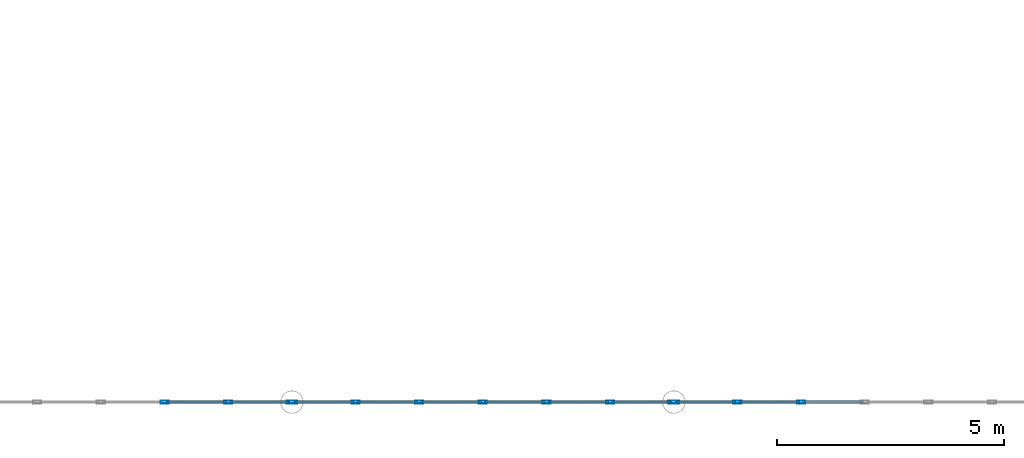
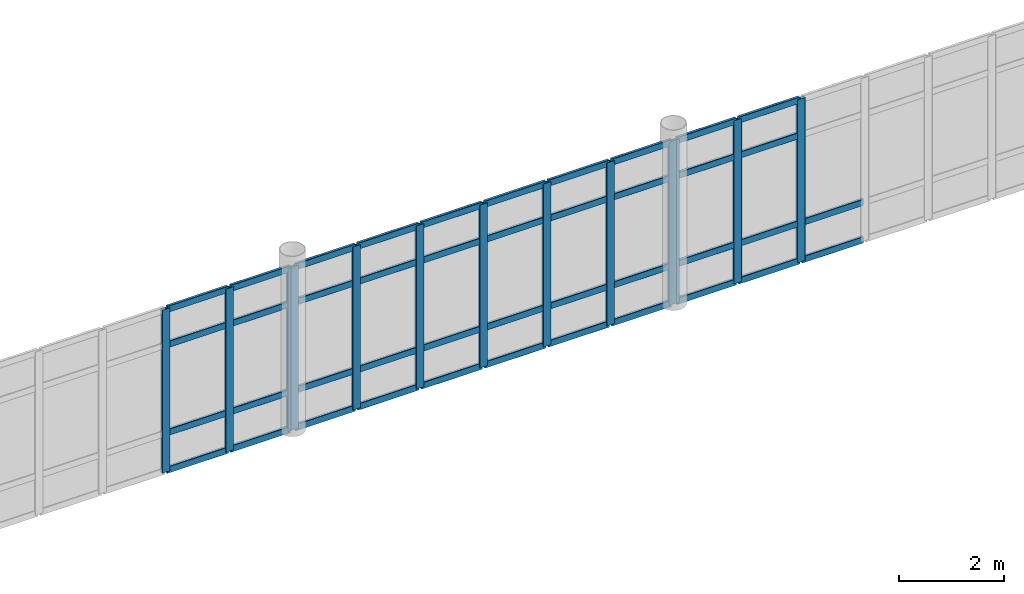
# One storey, part 58 of 163: 55 members, 3 elements without a shape of their own.
"""IFC4 building model written with IfcOpenShell, lengths in metres."""

from ifc_helpers import new_model, si_unit, direction, frame, origin, origin_2d, place, context, subcontext, project, spatial, hollow_rectangle, extrude, material, layer, layer_set, material_profile, profile_set, type_object, element, aggregate, save


model = new_model("IFC4")

# Units and contexts
model_context = context("Model", 3, precision=1e-05, world=origin(), true_north=direction((0.0, 1.0)))
body_context = subcontext(model_context, "Body", "Model", "MODEL_VIEW")
ifc_project = project(units=[si_unit("LENGTHUNIT", "METRE"), si_unit("AREAUNIT", "SQUARE_METRE"), si_unit("VOLUMEUNIT", "CUBIC_METRE"), si_unit("PLANEANGLEUNIT", "RADIAN"), si_unit("MASSUNIT", "GRAM", prefix="KILO")], contexts=[model_context])

# Site, building, storey
site_placement = place(None, origin())
site = spatial("IfcSite", under=ifc_project, at=site_placement, CompositionType="ELEMENT")
building_placement = place(site_placement, origin())
building = spatial("IfcBuilding", under=site, at=building_placement, Name="Qalvenar Corner Mobility Hub", CompositionType="ELEMENT")
storey_placement = place(building_placement, frame((0.0, 0.0, 4.800048828125)))
storey = spatial("IfcBuildingStorey", under=building, at=storey_placement, Name="L01", CompositionType="ELEMENT", Elevation=4.800048828125)

# Curtain wall, members
ifc_material_1 = material(Name="Anodised Aluminium and Low-E Glazing", Category="aluminium")
ifc_layer = layer(ifc_material_1, 0.179931640625)
ifc_layer_set = layer_set([ifc_layer], Name="Anodised Aluminium and Low-E Glazing")
curtain_wall_type = type_object("IfcCurtainWallType", Name="CW-CONC-84X42", PredefinedType="NOTDEFINED", material=ifc_layer_set)
curtain_wall_1_placement = place(storey_placement, origin())
curtain_wall_1 = element("IfcCurtainWall", 1, at=curtain_wall_1_placement, inside=storey, type_object=curtain_wall_type, Name="Glazed Curtain Wall CW-V1-L01-S1", PredefinedType="NOTDEFINED")
ifc_material_2 = material(Name="Anodised Aluminium 6063-T6", Category="aluminium")
ifc_material_profile_1 = material_profile(ifc_material_2, hollow_rectangle(XDim=0.06494140625, YDim=0.179931640625, WallThickness=0.00390625, InnerFilletRadius=0.00390625, OuterFilletRadius=0.008056640625, at=origin_2d()), Name="RHS180x65x4")
ifc_profile_set_1 = profile_set([ifc_material_profile_1], Name="Anodised Aluminium 6063-T6")
member_type_1 = type_object("IfcMemberType", Name="CW-MUL180", PredefinedType="MULLION", material=ifc_profile_set_1)
member_1_placement = place(storey_placement, frame((64.39990234375, 0.0, 0.0), z_axis=(0.0, 0.0, 1.0), x_axis=(0.0, 1.0, 0.0)))
member_1 = element("IfcMember", 2, at=member_1_placement, type_object=member_type_1, Name="CW-02 mullion 5", PredefinedType="MULLION", context=body_context, shape_type="SweptSolid", body=[
    extrude(hollow_rectangle(XDim=0.06494140625, YDim=0.179931640625, WallThickness=0.00390625, InnerFilletRadius=0.00390625, OuterFilletRadius=0.008056640625, at=origin_2d()), origin(), (0.0, 0.0, 1.0), 3.800048828125),
])
member_2_placement = place(storey_placement, frame((65.800048828125, 0.0, 0.0), z_axis=(0.0, 0.0, 1.0), x_axis=(0.0, 1.0, 0.0)))
member_2 = element("IfcMember", 3, at=member_2_placement, type_object=member_type_1, Name="CW-02 mullion 6", PredefinedType="MULLION", context=body_context, shape_type="SweptSolid", body=[
    extrude(hollow_rectangle(XDim=0.06494140625, YDim=0.179931640625, WallThickness=0.00390625, InnerFilletRadius=0.00390625, OuterFilletRadius=0.008056640625, at=origin_2d()), origin(), (0.0, 0.0, 1.0), 3.800048828125),
])
member_3_placement = place(storey_placement, frame((67.169921875, 0.0, 0.0), z_axis=(0.0, 0.0, 1.0), x_axis=(0.0, 1.0, 0.0)))
member_3 = element("IfcMember", 4, at=member_3_placement, type_object=member_type_1, Name="CW-02 mullion 7", PredefinedType="MULLION", context=body_context, shape_type="SweptSolid", body=[
    extrude(hollow_rectangle(XDim=0.06494140625, YDim=0.179931640625, WallThickness=0.00390625, InnerFilletRadius=0.00390625, OuterFilletRadius=0.008056640625, at=origin_2d()), origin(), (0.0, 0.0, 1.0), 3.800048828125),
])

curtain_wall_2_placement = place(storey_placement, origin())
curtain_wall_2 = element("IfcCurtainWall", 5, at=curtain_wall_2_placement, inside=storey, type_object=curtain_wall_type, Name="Glazed Curtain Wall CW-V1-L01-S2", PredefinedType="NOTDEFINED")
member_4_placement = place(storey_placement, frame((67.22998046875, 0.0, 0.0), z_axis=(0.0, 0.0, 1.0), x_axis=(0.0, 1.0, 0.0)))
member_4 = element("IfcMember", 6, at=member_4_placement, type_object=member_type_1, Name="CW-02 mullion 1", PredefinedType="MULLION", context=body_context, shape_type="SweptSolid", body=[
    extrude(hollow_rectangle(XDim=0.06494140625, YDim=0.179931640625, WallThickness=0.00390625, InnerFilletRadius=0.00390625, OuterFilletRadius=0.008056640625, at=origin_2d()), origin(), (0.0, 0.0, 1.0), 3.800048828125),
])
member_5_placement = place(storey_placement, frame((68.60009765625, 0.0, 0.0), z_axis=(0.0, 0.0, 1.0), x_axis=(0.0, 1.0, 0.0)))
member_5 = element("IfcMember", 7, at=member_5_placement, type_object=member_type_1, Name="CW-02 mullion 2", PredefinedType="MULLION", context=body_context, shape_type="SweptSolid", body=[
    extrude(hollow_rectangle(XDim=0.06494140625, YDim=0.179931640625, WallThickness=0.00390625, InnerFilletRadius=0.00390625, OuterFilletRadius=0.008056640625, at=origin_2d()), origin(), (0.0, 0.0, 1.0), 3.800048828125),
])
member_6_placement = place(storey_placement, frame((70.0, 0.0, 0.0), z_axis=(0.0, 0.0, 1.0), x_axis=(0.0, 1.0, 0.0)))
member_6 = element("IfcMember", 8, at=member_6_placement, type_object=member_type_1, Name="CW-02 mullion 3", PredefinedType="MULLION", context=body_context, shape_type="SweptSolid", body=[
    extrude(hollow_rectangle(XDim=0.06494140625, YDim=0.179931640625, WallThickness=0.00390625, InnerFilletRadius=0.00390625, OuterFilletRadius=0.008056640625, at=origin_2d()), origin(), (0.0, 0.0, 1.0), 3.800048828125),
])
member_7_placement = place(storey_placement, frame((71.39990234375, 0.0, 0.0), z_axis=(0.0, 0.0, 1.0), x_axis=(0.0, 1.0, 0.0)))
member_7 = element("IfcMember", 9, at=member_7_placement, type_object=member_type_1, Name="CW-02 mullion 4", PredefinedType="MULLION", context=body_context, shape_type="SweptSolid", body=[
    extrude(hollow_rectangle(XDim=0.06494140625, YDim=0.179931640625, WallThickness=0.00390625, InnerFilletRadius=0.00390625, OuterFilletRadius=0.008056640625, at=origin_2d()), origin(), (0.0, 0.0, 1.0), 3.800048828125),
])
member_8_placement = place(storey_placement, frame((72.800048828125, 0.0, 0.0), z_axis=(0.0, 0.0, 1.0), x_axis=(0.0, 1.0, 0.0)))
member_8 = element("IfcMember", 10, at=member_8_placement, type_object=member_type_1, Name="CW-02 mullion 5", PredefinedType="MULLION", context=body_context, shape_type="SweptSolid", body=[
    extrude(hollow_rectangle(XDim=0.06494140625, YDim=0.179931640625, WallThickness=0.00390625, InnerFilletRadius=0.00390625, OuterFilletRadius=0.008056640625, at=origin_2d()), origin(), (0.0, 0.0, 1.0), 3.800048828125),
])
member_9_placement = place(storey_placement, frame((74.199951171875, 0.0, 0.0), z_axis=(0.0, 0.0, 1.0), x_axis=(0.0, 1.0, 0.0)))
member_9 = element("IfcMember", 11, at=member_9_placement, type_object=member_type_1, Name="CW-02 mullion 6", PredefinedType="MULLION", context=body_context, shape_type="SweptSolid", body=[
    extrude(hollow_rectangle(XDim=0.06494140625, YDim=0.179931640625, WallThickness=0.00390625, InnerFilletRadius=0.00390625, OuterFilletRadius=0.008056640625, at=origin_2d()), origin(), (0.0, 0.0, 1.0), 3.800048828125),
])
member_10_placement = place(storey_placement, frame((75.570068359375, 0.0, 0.0), z_axis=(0.0, 0.0, 1.0), x_axis=(0.0, 1.0, 0.0)))
member_10 = element("IfcMember", 12, at=member_10_placement, type_object=member_type_1, Name="CW-02 mullion 7", PredefinedType="MULLION", context=body_context, shape_type="SweptSolid", body=[
    extrude(hollow_rectangle(XDim=0.06494140625, YDim=0.179931640625, WallThickness=0.00390625, InnerFilletRadius=0.00390625, OuterFilletRadius=0.008056640625, at=origin_2d()), origin(), (0.0, 0.0, 1.0), 3.800048828125),
])

curtain_wall_3_placement = place(storey_placement, origin())
curtain_wall_3 = element("IfcCurtainWall", 13, at=curtain_wall_3_placement, inside=storey, type_object=curtain_wall_type, Name="Glazed Curtain Wall CW-V1-L01-S3", PredefinedType="NOTDEFINED")
member_11_placement = place(storey_placement, frame((75.6298828125, 0.0, 0.0), z_axis=(0.0, 0.0, 1.0), x_axis=(0.0, 1.0, 0.0)))
member_11 = element("IfcMember", 14, at=member_11_placement, type_object=member_type_1, Name="CW-02 mullion 1", PredefinedType="MULLION", context=body_context, shape_type="SweptSolid", body=[
    extrude(hollow_rectangle(XDim=0.06494140625, YDim=0.179931640625, WallThickness=0.00390625, InnerFilletRadius=0.00390625, OuterFilletRadius=0.008056640625, at=origin_2d()), origin(), (0.0, 0.0, 1.0), 3.800048828125),
])
member_12_placement = place(storey_placement, frame((77.0, 0.0, 0.0), z_axis=(0.0, 0.0, 1.0), x_axis=(0.0, 1.0, 0.0)))
member_12 = element("IfcMember", 15, at=member_12_placement, type_object=member_type_1, Name="CW-02 mullion 2", PredefinedType="MULLION", context=body_context, shape_type="SweptSolid", body=[
    extrude(hollow_rectangle(XDim=0.06494140625, YDim=0.179931640625, WallThickness=0.00390625, InnerFilletRadius=0.00390625, OuterFilletRadius=0.008056640625, at=origin_2d()), origin(), (0.0, 0.0, 1.0), 3.800048828125),
])
member_13_placement = place(storey_placement, frame((78.39990234375, 0.0, 0.0), z_axis=(0.0, 0.0, 1.0), x_axis=(0.0, 1.0, 0.0)))
member_13 = element("IfcMember", 16, at=member_13_placement, type_object=member_type_1, Name="CW-02 mullion 3", PredefinedType="MULLION", context=body_context, shape_type="SweptSolid", body=[
    extrude(hollow_rectangle(XDim=0.06494140625, YDim=0.179931640625, WallThickness=0.00390625, InnerFilletRadius=0.00390625, OuterFilletRadius=0.008056640625, at=origin_2d()), origin(), (0.0, 0.0, 1.0), 3.800048828125),
])

# Member
ifc_material_profile_2 = material_profile(ifc_material_2, hollow_rectangle(XDim=0.06005859375, YDim=0.14990234375, WallThickness=0.00341796875, InnerFilletRadius=0.00341796875, OuterFilletRadius=0.007080078125, at=origin_2d()), Name="RHS150x60x3.5")
ifc_profile_set_2 = profile_set([ifc_material_profile_2], Name="Anodised Aluminium 6063-T6")
member_type_2 = type_object("IfcMemberType", Name="CW-TRN150", PredefinedType="USERDEFINED", material=ifc_profile_set_2)
member_14_placement = place(storey_placement, frame((64.429931640625, 0.0, 0.02734375), z_axis=(1.0, 0.0, 0.0), x_axis=(0.0, 1.0, 0.0)))
member_14 = element("IfcMember", 17, at=member_14_placement, type_object=member_type_2, Name="CW-02 transom 5.1", ObjectType="TRANSOM", PredefinedType="USERDEFINED", context=body_context, shape_type="SweptSolid", body=[
    extrude(hollow_rectangle(XDim=0.06005859375, YDim=0.14990234375, WallThickness=0.00341796875, InnerFilletRadius=0.00341796875, OuterFilletRadius=0.007080078125, at=origin_2d()), origin(), (0.0, 0.0, 1.0), 1.340087890625),
])

member_15_placement = place(storey_placement, frame((64.429931640625, 0.0, 0.89990234375), z_axis=(1.0, 0.0, 0.0), x_axis=(0.0, 1.0, 0.0)))
member_15 = element("IfcMember", 18, at=member_15_placement, type_object=member_type_2, Name="CW-02 transom 5.2", ObjectType="TRANSOM", PredefinedType="USERDEFINED", context=body_context, shape_type="SweptSolid", body=[
    extrude(hollow_rectangle(XDim=0.06005859375, YDim=0.14990234375, WallThickness=0.00341796875, InnerFilletRadius=0.00341796875, OuterFilletRadius=0.007080078125, at=origin_2d()), origin(), (0.0, 0.0, 1.0), 1.340087890625),
])

member_16_placement = place(storey_placement, frame((64.429931640625, 0.0, 2.949951171875), z_axis=(1.0, 0.0, 0.0), x_axis=(0.0, 1.0, 0.0)))
member_16 = element("IfcMember", 19, at=member_16_placement, type_object=member_type_2, Name="CW-02 transom 5.3", ObjectType="TRANSOM", PredefinedType="USERDEFINED", context=body_context, shape_type="SweptSolid", body=[
    extrude(hollow_rectangle(XDim=0.06005859375, YDim=0.14990234375, WallThickness=0.00341796875, InnerFilletRadius=0.00341796875, OuterFilletRadius=0.007080078125, at=origin_2d()), origin(), (0.0, 0.0, 1.0), 1.340087890625),
])

member_17_placement = place(storey_placement, frame((64.429931640625, 0.0, 3.7724609375), z_axis=(1.0, 0.0, 0.0), x_axis=(0.0, 1.0, 0.0)))
member_17 = element("IfcMember", 20, at=member_17_placement, type_object=member_type_2, Name="CW-02 transom 5.4", ObjectType="TRANSOM", PredefinedType="USERDEFINED", context=body_context, shape_type="SweptSolid", body=[
    extrude(hollow_rectangle(XDim=0.06005859375, YDim=0.14990234375, WallThickness=0.00341796875, InnerFilletRadius=0.00341796875, OuterFilletRadius=0.007080078125, at=origin_2d()), origin(), (0.0, 0.0, 1.0), 1.340087890625),
])

member_18_placement = place(storey_placement, frame((65.830078125, 0.0, 0.02734375), z_axis=(1.0, 0.0, 0.0), x_axis=(0.0, 1.0, 0.0)))
member_18 = element("IfcMember", 21, at=member_18_placement, type_object=member_type_2, Name="CW-02 transom 6.1", ObjectType="TRANSOM", PredefinedType="USERDEFINED", context=body_context, shape_type="SweptSolid", body=[
    extrude(hollow_rectangle(XDim=0.06005859375, YDim=0.14990234375, WallThickness=0.00341796875, InnerFilletRadius=0.00341796875, OuterFilletRadius=0.007080078125, at=origin_2d()), origin(), (0.0, 0.0, 1.0), 1.309814453125),
])

member_19_placement = place(storey_placement, frame((65.830078125, 0.0, 0.89990234375), z_axis=(1.0, 0.0, 0.0), x_axis=(0.0, 1.0, 0.0)))
member_19 = element("IfcMember", 22, at=member_19_placement, type_object=member_type_2, Name="CW-02 transom 6.2", ObjectType="TRANSOM", PredefinedType="USERDEFINED", context=body_context, shape_type="SweptSolid", body=[
    extrude(hollow_rectangle(XDim=0.06005859375, YDim=0.14990234375, WallThickness=0.00341796875, InnerFilletRadius=0.00341796875, OuterFilletRadius=0.007080078125, at=origin_2d()), origin(), (0.0, 0.0, 1.0), 1.309814453125),
])

member_20_placement = place(storey_placement, frame((65.830078125, 0.0, 2.949951171875), z_axis=(1.0, 0.0, 0.0), x_axis=(0.0, 1.0, 0.0)))
member_20 = element("IfcMember", 23, at=member_20_placement, type_object=member_type_2, Name="CW-02 transom 6.3", ObjectType="TRANSOM", PredefinedType="USERDEFINED", context=body_context, shape_type="SweptSolid", body=[
    extrude(hollow_rectangle(XDim=0.06005859375, YDim=0.14990234375, WallThickness=0.00341796875, InnerFilletRadius=0.00341796875, OuterFilletRadius=0.007080078125, at=origin_2d()), origin(), (0.0, 0.0, 1.0), 1.309814453125),
])

member_21_placement = place(storey_placement, frame((65.830078125, 0.0, 3.7724609375), z_axis=(1.0, 0.0, 0.0), x_axis=(0.0, 1.0, 0.0)))
member_21 = element("IfcMember", 24, at=member_21_placement, type_object=member_type_2, Name="CW-02 transom 6.4", ObjectType="TRANSOM", PredefinedType="USERDEFINED", context=body_context, shape_type="SweptSolid", body=[
    extrude(hollow_rectangle(XDim=0.06005859375, YDim=0.14990234375, WallThickness=0.00341796875, InnerFilletRadius=0.00341796875, OuterFilletRadius=0.007080078125, at=origin_2d()), origin(), (0.0, 0.0, 1.0), 1.309814453125),
])

aggregate(curtain_wall_1, [member_1, member_2, member_3, member_14, member_15, member_16, member_17, member_18, member_19, member_20, member_21])

member_22_placement = place(storey_placement, frame((67.260009765625, 0.0, 0.02734375), z_axis=(1.0, 0.0, 0.0), x_axis=(0.0, 1.0, 0.0)))
member_22 = element("IfcMember", 25, at=member_22_placement, type_object=member_type_2, Name="CW-02 transom 1.1", ObjectType="TRANSOM", PredefinedType="USERDEFINED", context=body_context, shape_type="SweptSolid", body=[
    extrude(hollow_rectangle(XDim=0.06005859375, YDim=0.14990234375, WallThickness=0.00341796875, InnerFilletRadius=0.00341796875, OuterFilletRadius=0.007080078125, at=origin_2d()), origin(), (0.0, 0.0, 1.0), 1.31005859375),
])

member_23_placement = place(storey_placement, frame((67.260009765625, 0.0, 0.89990234375), z_axis=(1.0, 0.0, 0.0), x_axis=(0.0, 1.0, 0.0)))
member_23 = element("IfcMember", 26, at=member_23_placement, type_object=member_type_2, Name="CW-02 transom 1.2", ObjectType="TRANSOM", PredefinedType="USERDEFINED", context=body_context, shape_type="SweptSolid", body=[
    extrude(hollow_rectangle(XDim=0.06005859375, YDim=0.14990234375, WallThickness=0.00341796875, InnerFilletRadius=0.00341796875, OuterFilletRadius=0.007080078125, at=origin_2d()), origin(), (0.0, 0.0, 1.0), 1.31005859375),
])

member_24_placement = place(storey_placement, frame((67.260009765625, 0.0, 2.949951171875), z_axis=(1.0, 0.0, 0.0), x_axis=(0.0, 1.0, 0.0)))
member_24 = element("IfcMember", 27, at=member_24_placement, type_object=member_type_2, Name="CW-02 transom 1.3", ObjectType="TRANSOM", PredefinedType="USERDEFINED", context=body_context, shape_type="SweptSolid", body=[
    extrude(hollow_rectangle(XDim=0.06005859375, YDim=0.14990234375, WallThickness=0.00341796875, InnerFilletRadius=0.00341796875, OuterFilletRadius=0.007080078125, at=origin_2d()), origin(), (0.0, 0.0, 1.0), 1.31005859375),
])

member_25_placement = place(storey_placement, frame((67.260009765625, 0.0, 3.7724609375), z_axis=(1.0, 0.0, 0.0), x_axis=(0.0, 1.0, 0.0)))
member_25 = element("IfcMember", 28, at=member_25_placement, type_object=member_type_2, Name="CW-02 transom 1.4", ObjectType="TRANSOM", PredefinedType="USERDEFINED", context=body_context, shape_type="SweptSolid", body=[
    extrude(hollow_rectangle(XDim=0.06005859375, YDim=0.14990234375, WallThickness=0.00341796875, InnerFilletRadius=0.00341796875, OuterFilletRadius=0.007080078125, at=origin_2d()), origin(), (0.0, 0.0, 1.0), 1.31005859375),
])

member_26_placement = place(storey_placement, frame((68.6298828125, 0.0, 0.02734375), z_axis=(1.0, 0.0, 0.0), x_axis=(0.0, 1.0, 0.0)))
member_26 = element("IfcMember", 29, at=member_26_placement, type_object=member_type_2, Name="CW-02 transom 2.1", ObjectType="TRANSOM", PredefinedType="USERDEFINED", context=body_context, shape_type="SweptSolid", body=[
    extrude(hollow_rectangle(XDim=0.06005859375, YDim=0.14990234375, WallThickness=0.00341796875, InnerFilletRadius=0.00341796875, OuterFilletRadius=0.007080078125, at=origin_2d()), origin(), (0.0, 0.0, 1.0), 1.340087890625),
])

member_27_placement = place(storey_placement, frame((68.6298828125, 0.0, 0.89990234375), z_axis=(1.0, 0.0, 0.0), x_axis=(0.0, 1.0, 0.0)))
member_27 = element("IfcMember", 30, at=member_27_placement, type_object=member_type_2, Name="CW-02 transom 2.2", ObjectType="TRANSOM", PredefinedType="USERDEFINED", context=body_context, shape_type="SweptSolid", body=[
    extrude(hollow_rectangle(XDim=0.06005859375, YDim=0.14990234375, WallThickness=0.00341796875, InnerFilletRadius=0.00341796875, OuterFilletRadius=0.007080078125, at=origin_2d()), origin(), (0.0, 0.0, 1.0), 1.340087890625),
])

member_28_placement = place(storey_placement, frame((68.6298828125, 0.0, 2.949951171875), z_axis=(1.0, 0.0, 0.0), x_axis=(0.0, 1.0, 0.0)))
member_28 = element("IfcMember", 31, at=member_28_placement, type_object=member_type_2, Name="CW-02 transom 2.3", ObjectType="TRANSOM", PredefinedType="USERDEFINED", context=body_context, shape_type="SweptSolid", body=[
    extrude(hollow_rectangle(XDim=0.06005859375, YDim=0.14990234375, WallThickness=0.00341796875, InnerFilletRadius=0.00341796875, OuterFilletRadius=0.007080078125, at=origin_2d()), origin(), (0.0, 0.0, 1.0), 1.340087890625),
])

member_29_placement = place(storey_placement, frame((68.6298828125, 0.0, 3.7724609375), z_axis=(1.0, 0.0, 0.0), x_axis=(0.0, 1.0, 0.0)))
member_29 = element("IfcMember", 32, at=member_29_placement, type_object=member_type_2, Name="CW-02 transom 2.4", ObjectType="TRANSOM", PredefinedType="USERDEFINED", context=body_context, shape_type="SweptSolid", body=[
    extrude(hollow_rectangle(XDim=0.06005859375, YDim=0.14990234375, WallThickness=0.00341796875, InnerFilletRadius=0.00341796875, OuterFilletRadius=0.007080078125, at=origin_2d()), origin(), (0.0, 0.0, 1.0), 1.340087890625),
])

member_30_placement = place(storey_placement, frame((70.030029296875, 0.0, 0.02734375), z_axis=(1.0, 0.0, 0.0), x_axis=(0.0, 1.0, 0.0)))
member_30 = element("IfcMember", 33, at=member_30_placement, type_object=member_type_2, Name="CW-02 transom 3.1", ObjectType="TRANSOM", PredefinedType="USERDEFINED", context=body_context, shape_type="SweptSolid", body=[
    extrude(hollow_rectangle(XDim=0.06005859375, YDim=0.14990234375, WallThickness=0.00341796875, InnerFilletRadius=0.00341796875, OuterFilletRadius=0.007080078125, at=origin_2d()), origin(), (0.0, 0.0, 1.0), 1.340087890625),
])

member_31_placement = place(storey_placement, frame((70.030029296875, 0.0, 0.89990234375), z_axis=(1.0, 0.0, 0.0), x_axis=(0.0, 1.0, 0.0)))
member_31 = element("IfcMember", 34, at=member_31_placement, type_object=member_type_2, Name="CW-02 transom 3.2", ObjectType="TRANSOM", PredefinedType="USERDEFINED", context=body_context, shape_type="SweptSolid", body=[
    extrude(hollow_rectangle(XDim=0.06005859375, YDim=0.14990234375, WallThickness=0.00341796875, InnerFilletRadius=0.00341796875, OuterFilletRadius=0.007080078125, at=origin_2d()), origin(), (0.0, 0.0, 1.0), 1.340087890625),
])

member_32_placement = place(storey_placement, frame((70.030029296875, 0.0, 2.949951171875), z_axis=(1.0, 0.0, 0.0), x_axis=(0.0, 1.0, 0.0)))
member_32 = element("IfcMember", 35, at=member_32_placement, type_object=member_type_2, Name="CW-02 transom 3.3", ObjectType="TRANSOM", PredefinedType="USERDEFINED", context=body_context, shape_type="SweptSolid", body=[
    extrude(hollow_rectangle(XDim=0.06005859375, YDim=0.14990234375, WallThickness=0.00341796875, InnerFilletRadius=0.00341796875, OuterFilletRadius=0.007080078125, at=origin_2d()), origin(), (0.0, 0.0, 1.0), 1.340087890625),
])

member_33_placement = place(storey_placement, frame((70.030029296875, 0.0, 3.7724609375), z_axis=(1.0, 0.0, 0.0), x_axis=(0.0, 1.0, 0.0)))
member_33 = element("IfcMember", 36, at=member_33_placement, type_object=member_type_2, Name="CW-02 transom 3.4", ObjectType="TRANSOM", PredefinedType="USERDEFINED", context=body_context, shape_type="SweptSolid", body=[
    extrude(hollow_rectangle(XDim=0.06005859375, YDim=0.14990234375, WallThickness=0.00341796875, InnerFilletRadius=0.00341796875, OuterFilletRadius=0.007080078125, at=origin_2d()), origin(), (0.0, 0.0, 1.0), 1.340087890625),
])

member_34_placement = place(storey_placement, frame((71.429931640625, 0.0, 0.02734375), z_axis=(1.0, 0.0, 0.0), x_axis=(0.0, 1.0, 0.0)))
member_34 = element("IfcMember", 37, at=member_34_placement, type_object=member_type_2, Name="CW-02 transom 4.1", ObjectType="TRANSOM", PredefinedType="USERDEFINED", context=body_context, shape_type="SweptSolid", body=[
    extrude(hollow_rectangle(XDim=0.06005859375, YDim=0.14990234375, WallThickness=0.00341796875, InnerFilletRadius=0.00341796875, OuterFilletRadius=0.007080078125, at=origin_2d()), origin(), (0.0, 0.0, 1.0), 1.340087890625),
])

member_35_placement = place(storey_placement, frame((71.429931640625, 0.0, 0.89990234375), z_axis=(1.0, 0.0, 0.0), x_axis=(0.0, 1.0, 0.0)))
member_35 = element("IfcMember", 38, at=member_35_placement, type_object=member_type_2, Name="CW-02 transom 4.2", ObjectType="TRANSOM", PredefinedType="USERDEFINED", context=body_context, shape_type="SweptSolid", body=[
    extrude(hollow_rectangle(XDim=0.06005859375, YDim=0.14990234375, WallThickness=0.00341796875, InnerFilletRadius=0.00341796875, OuterFilletRadius=0.007080078125, at=origin_2d()), origin(), (0.0, 0.0, 1.0), 1.340087890625),
])

member_36_placement = place(storey_placement, frame((71.429931640625, 0.0, 2.949951171875), z_axis=(1.0, 0.0, 0.0), x_axis=(0.0, 1.0, 0.0)))
member_36 = element("IfcMember", 39, at=member_36_placement, type_object=member_type_2, Name="CW-02 transom 4.3", ObjectType="TRANSOM", PredefinedType="USERDEFINED", context=body_context, shape_type="SweptSolid", body=[
    extrude(hollow_rectangle(XDim=0.06005859375, YDim=0.14990234375, WallThickness=0.00341796875, InnerFilletRadius=0.00341796875, OuterFilletRadius=0.007080078125, at=origin_2d()), origin(), (0.0, 0.0, 1.0), 1.340087890625),
])

member_37_placement = place(storey_placement, frame((71.429931640625, 0.0, 3.7724609375), z_axis=(1.0, 0.0, 0.0), x_axis=(0.0, 1.0, 0.0)))
member_37 = element("IfcMember", 40, at=member_37_placement, type_object=member_type_2, Name="CW-02 transom 4.4", ObjectType="TRANSOM", PredefinedType="USERDEFINED", context=body_context, shape_type="SweptSolid", body=[
    extrude(hollow_rectangle(XDim=0.06005859375, YDim=0.14990234375, WallThickness=0.00341796875, InnerFilletRadius=0.00341796875, OuterFilletRadius=0.007080078125, at=origin_2d()), origin(), (0.0, 0.0, 1.0), 1.340087890625),
])

member_38_placement = place(storey_placement, frame((72.830078125, 0.0, 0.02734375), z_axis=(1.0, 0.0, 0.0), x_axis=(0.0, 1.0, 0.0)))
member_38 = element("IfcMember", 41, at=member_38_placement, type_object=member_type_2, Name="CW-02 transom 5.1", ObjectType="TRANSOM", PredefinedType="USERDEFINED", context=body_context, shape_type="SweptSolid", body=[
    extrude(hollow_rectangle(XDim=0.06005859375, YDim=0.14990234375, WallThickness=0.00341796875, InnerFilletRadius=0.00341796875, OuterFilletRadius=0.007080078125, at=origin_2d()), origin(), (0.0, 0.0, 1.0), 1.33984375),
])

member_39_placement = place(storey_placement, frame((72.830078125, 0.0, 0.89990234375), z_axis=(1.0, 0.0, 0.0), x_axis=(0.0, 1.0, 0.0)))
member_39 = element("IfcMember", 42, at=member_39_placement, type_object=member_type_2, Name="CW-02 transom 5.2", ObjectType="TRANSOM", PredefinedType="USERDEFINED", context=body_context, shape_type="SweptSolid", body=[
    extrude(hollow_rectangle(XDim=0.06005859375, YDim=0.14990234375, WallThickness=0.00341796875, InnerFilletRadius=0.00341796875, OuterFilletRadius=0.007080078125, at=origin_2d()), origin(), (0.0, 0.0, 1.0), 1.33984375),
])

member_40_placement = place(storey_placement, frame((72.830078125, 0.0, 2.949951171875), z_axis=(1.0, 0.0, 0.0), x_axis=(0.0, 1.0, 0.0)))
member_40 = element("IfcMember", 43, at=member_40_placement, type_object=member_type_2, Name="CW-02 transom 5.3", ObjectType="TRANSOM", PredefinedType="USERDEFINED", context=body_context, shape_type="SweptSolid", body=[
    extrude(hollow_rectangle(XDim=0.06005859375, YDim=0.14990234375, WallThickness=0.00341796875, InnerFilletRadius=0.00341796875, OuterFilletRadius=0.007080078125, at=origin_2d()), origin(), (0.0, 0.0, 1.0), 1.33984375),
])

member_41_placement = place(storey_placement, frame((72.830078125, 0.0, 3.7724609375), z_axis=(1.0, 0.0, 0.0), x_axis=(0.0, 1.0, 0.0)))
member_41 = element("IfcMember", 44, at=member_41_placement, type_object=member_type_2, Name="CW-02 transom 5.4", ObjectType="TRANSOM", PredefinedType="USERDEFINED", context=body_context, shape_type="SweptSolid", body=[
    extrude(hollow_rectangle(XDim=0.06005859375, YDim=0.14990234375, WallThickness=0.00341796875, InnerFilletRadius=0.00341796875, OuterFilletRadius=0.007080078125, at=origin_2d()), origin(), (0.0, 0.0, 1.0), 1.33984375),
])

member_42_placement = place(storey_placement, frame((74.22998046875, 0.0, 0.02734375), z_axis=(1.0, 0.0, 0.0), x_axis=(0.0, 1.0, 0.0)))
member_42 = element("IfcMember", 45, at=member_42_placement, type_object=member_type_2, Name="CW-02 transom 6.1", ObjectType="TRANSOM", PredefinedType="USERDEFINED", context=body_context, shape_type="SweptSolid", body=[
    extrude(hollow_rectangle(XDim=0.06005859375, YDim=0.14990234375, WallThickness=0.00341796875, InnerFilletRadius=0.00341796875, OuterFilletRadius=0.007080078125, at=origin_2d()), origin(), (0.0, 0.0, 1.0), 1.31005859375),
])

member_43_placement = place(storey_placement, frame((74.22998046875, 0.0, 0.89990234375), z_axis=(1.0, 0.0, 0.0), x_axis=(0.0, 1.0, 0.0)))
member_43 = element("IfcMember", 46, at=member_43_placement, type_object=member_type_2, Name="CW-02 transom 6.2", ObjectType="TRANSOM", PredefinedType="USERDEFINED", context=body_context, shape_type="SweptSolid", body=[
    extrude(hollow_rectangle(XDim=0.06005859375, YDim=0.14990234375, WallThickness=0.00341796875, InnerFilletRadius=0.00341796875, OuterFilletRadius=0.007080078125, at=origin_2d()), origin(), (0.0, 0.0, 1.0), 1.31005859375),
])

member_44_placement = place(storey_placement, frame((74.22998046875, 0.0, 2.949951171875), z_axis=(1.0, 0.0, 0.0), x_axis=(0.0, 1.0, 0.0)))
member_44 = element("IfcMember", 47, at=member_44_placement, type_object=member_type_2, Name="CW-02 transom 6.3", ObjectType="TRANSOM", PredefinedType="USERDEFINED", context=body_context, shape_type="SweptSolid", body=[
    extrude(hollow_rectangle(XDim=0.06005859375, YDim=0.14990234375, WallThickness=0.00341796875, InnerFilletRadius=0.00341796875, OuterFilletRadius=0.007080078125, at=origin_2d()), origin(), (0.0, 0.0, 1.0), 1.31005859375),
])

member_45_placement = place(storey_placement, frame((74.22998046875, 0.0, 3.7724609375), z_axis=(1.0, 0.0, 0.0), x_axis=(0.0, 1.0, 0.0)))
member_45 = element("IfcMember", 48, at=member_45_placement, type_object=member_type_2, Name="CW-02 transom 6.4", ObjectType="TRANSOM", PredefinedType="USERDEFINED", context=body_context, shape_type="SweptSolid", body=[
    extrude(hollow_rectangle(XDim=0.06005859375, YDim=0.14990234375, WallThickness=0.00341796875, InnerFilletRadius=0.00341796875, OuterFilletRadius=0.007080078125, at=origin_2d()), origin(), (0.0, 0.0, 1.0), 1.31005859375),
])

aggregate(curtain_wall_2, [member_4, member_5, member_6, member_7, member_8, member_9, member_10, member_22, member_23, member_24, member_25, member_26, member_27, member_28, member_29, member_30, member_31, member_32, member_33, member_34, member_35, member_36, member_37, member_38, member_39, member_40, member_41, member_42, member_43, member_44, member_45])

member_46_placement = place(storey_placement, frame((75.659912109375, 0.0, 0.02734375), z_axis=(1.0, 0.0, 0.0), x_axis=(0.0, 1.0, 0.0)))
member_46 = element("IfcMember", 49, at=member_46_placement, type_object=member_type_2, Name="CW-02 transom 1.1", ObjectType="TRANSOM", PredefinedType="USERDEFINED", context=body_context, shape_type="SweptSolid", body=[
    extrude(hollow_rectangle(XDim=0.06005859375, YDim=0.14990234375, WallThickness=0.00341796875, InnerFilletRadius=0.00341796875, OuterFilletRadius=0.007080078125, at=origin_2d()), origin(), (0.0, 0.0, 1.0), 1.31005859375),
])

member_47_placement = place(storey_placement, frame((75.659912109375, 0.0, 0.89990234375), z_axis=(1.0, 0.0, 0.0), x_axis=(0.0, 1.0, 0.0)))
member_47 = element("IfcMember", 50, at=member_47_placement, type_object=member_type_2, Name="CW-02 transom 1.2", ObjectType="TRANSOM", PredefinedType="USERDEFINED", context=body_context, shape_type="SweptSolid", body=[
    extrude(hollow_rectangle(XDim=0.06005859375, YDim=0.14990234375, WallThickness=0.00341796875, InnerFilletRadius=0.00341796875, OuterFilletRadius=0.007080078125, at=origin_2d()), origin(), (0.0, 0.0, 1.0), 1.31005859375),
])

member_48_placement = place(storey_placement, frame((75.659912109375, 0.0, 2.949951171875), z_axis=(1.0, 0.0, 0.0), x_axis=(0.0, 1.0, 0.0)))
member_48 = element("IfcMember", 51, at=member_48_placement, type_object=member_type_2, Name="CW-02 transom 1.3", ObjectType="TRANSOM", PredefinedType="USERDEFINED", context=body_context, shape_type="SweptSolid", body=[
    extrude(hollow_rectangle(XDim=0.06005859375, YDim=0.14990234375, WallThickness=0.00341796875, InnerFilletRadius=0.00341796875, OuterFilletRadius=0.007080078125, at=origin_2d()), origin(), (0.0, 0.0, 1.0), 1.31005859375),
])

member_49_placement = place(storey_placement, frame((75.659912109375, 0.0, 3.7724609375), z_axis=(1.0, 0.0, 0.0), x_axis=(0.0, 1.0, 0.0)))
member_49 = element("IfcMember", 52, at=member_49_placement, type_object=member_type_2, Name="CW-02 transom 1.4", ObjectType="TRANSOM", PredefinedType="USERDEFINED", context=body_context, shape_type="SweptSolid", body=[
    extrude(hollow_rectangle(XDim=0.06005859375, YDim=0.14990234375, WallThickness=0.00341796875, InnerFilletRadius=0.00341796875, OuterFilletRadius=0.007080078125, at=origin_2d()), origin(), (0.0, 0.0, 1.0), 1.31005859375),
])

member_50_placement = place(storey_placement, frame((77.030029296875, 0.0, 0.02734375), z_axis=(1.0, 0.0, 0.0), x_axis=(0.0, 1.0, 0.0)))
member_50 = element("IfcMember", 53, at=member_50_placement, type_object=member_type_2, Name="CW-02 transom 2.1", ObjectType="TRANSOM", PredefinedType="USERDEFINED", context=body_context, shape_type="SweptSolid", body=[
    extrude(hollow_rectangle(XDim=0.06005859375, YDim=0.14990234375, WallThickness=0.00341796875, InnerFilletRadius=0.00341796875, OuterFilletRadius=0.007080078125, at=origin_2d()), origin(), (0.0, 0.0, 1.0), 1.340087890625),
])

member_51_placement = place(storey_placement, frame((77.030029296875, 0.0, 0.89990234375), z_axis=(1.0, 0.0, 0.0), x_axis=(0.0, 1.0, 0.0)))
member_51 = element("IfcMember", 54, at=member_51_placement, type_object=member_type_2, Name="CW-02 transom 2.2", ObjectType="TRANSOM", PredefinedType="USERDEFINED", context=body_context, shape_type="SweptSolid", body=[
    extrude(hollow_rectangle(XDim=0.06005859375, YDim=0.14990234375, WallThickness=0.00341796875, InnerFilletRadius=0.00341796875, OuterFilletRadius=0.007080078125, at=origin_2d()), origin(), (0.0, 0.0, 1.0), 1.340087890625),
])

member_52_placement = place(storey_placement, frame((77.030029296875, 0.0, 2.949951171875), z_axis=(1.0, 0.0, 0.0), x_axis=(0.0, 1.0, 0.0)))
member_52 = element("IfcMember", 55, at=member_52_placement, type_object=member_type_2, Name="CW-02 transom 2.3", ObjectType="TRANSOM", PredefinedType="USERDEFINED", context=body_context, shape_type="SweptSolid", body=[
    extrude(hollow_rectangle(XDim=0.06005859375, YDim=0.14990234375, WallThickness=0.00341796875, InnerFilletRadius=0.00341796875, OuterFilletRadius=0.007080078125, at=origin_2d()), origin(), (0.0, 0.0, 1.0), 1.340087890625),
])

member_53_placement = place(storey_placement, frame((77.030029296875, 0.0, 3.7724609375), z_axis=(1.0, 0.0, 0.0), x_axis=(0.0, 1.0, 0.0)))
member_53 = element("IfcMember", 56, at=member_53_placement, type_object=member_type_2, Name="CW-02 transom 2.4", ObjectType="TRANSOM", PredefinedType="USERDEFINED", context=body_context, shape_type="SweptSolid", body=[
    extrude(hollow_rectangle(XDim=0.06005859375, YDim=0.14990234375, WallThickness=0.00341796875, InnerFilletRadius=0.00341796875, OuterFilletRadius=0.007080078125, at=origin_2d()), origin(), (0.0, 0.0, 1.0), 1.340087890625),
])

member_54_placement = place(storey_placement, frame((78.429931640625, 0.0, 0.02734375), z_axis=(1.0, 0.0, 0.0), x_axis=(0.0, 1.0, 0.0)))
member_54 = element("IfcMember", 57, at=member_54_placement, type_object=member_type_2, Name="CW-02 transom 3.1", ObjectType="TRANSOM", PredefinedType="USERDEFINED", context=body_context, shape_type="SweptSolid", body=[
    extrude(hollow_rectangle(XDim=0.06005859375, YDim=0.14990234375, WallThickness=0.00341796875, InnerFilletRadius=0.00341796875, OuterFilletRadius=0.007080078125, at=origin_2d()), origin(), (0.0, 0.0, 1.0), 1.340087890625),
])

member_55_placement = place(storey_placement, frame((78.429931640625, 0.0, 0.89990234375), z_axis=(1.0, 0.0, 0.0), x_axis=(0.0, 1.0, 0.0)))
member_55 = element("IfcMember", 58, at=member_55_placement, type_object=member_type_2, Name="CW-02 transom 3.2", ObjectType="TRANSOM", PredefinedType="USERDEFINED", context=body_context, shape_type="SweptSolid", body=[
    extrude(hollow_rectangle(XDim=0.06005859375, YDim=0.14990234375, WallThickness=0.00341796875, InnerFilletRadius=0.00341796875, OuterFilletRadius=0.007080078125, at=origin_2d()), origin(), (0.0, 0.0, 1.0), 1.340087890625),
])

aggregate(curtain_wall_3, [member_11, member_12, member_13, member_46, member_47, member_48, member_49, member_50, member_51, member_52, member_53, member_54, member_55])

save(model, "model.ifc")
